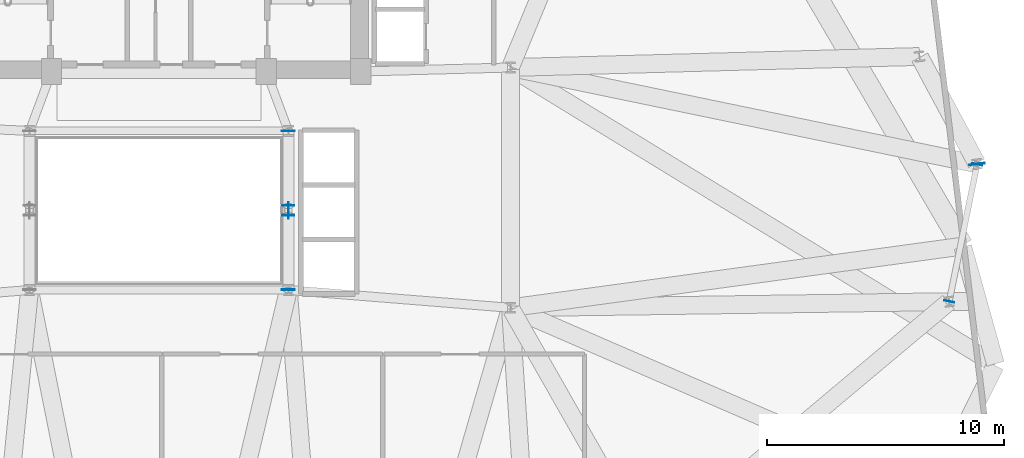
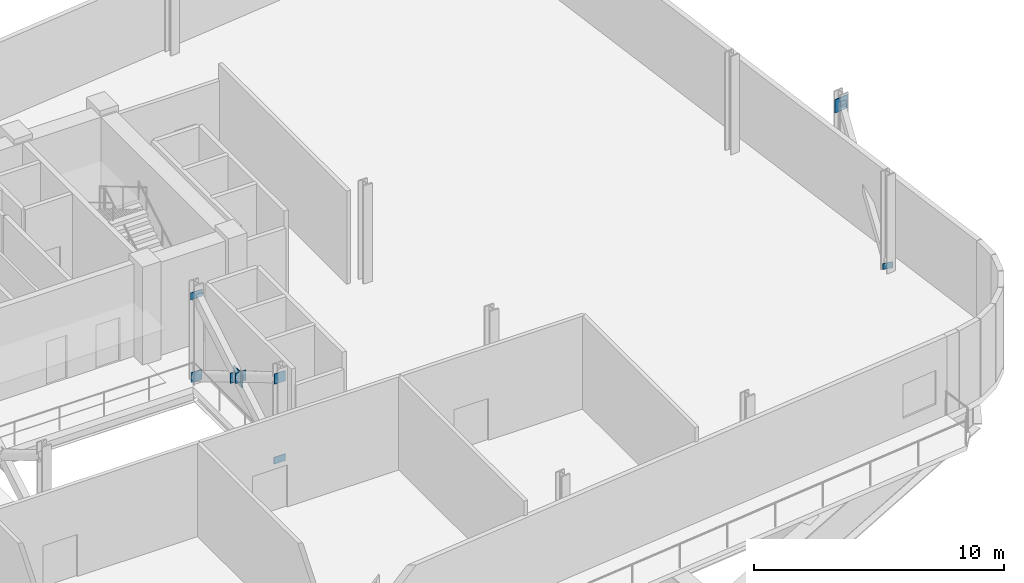
# One storey, part 4 of 11: 10 plates.
"""IFC4 building model written with IfcOpenShell, lengths in metres."""

from ifc_helpers import new_model, si_unit, direction, frame, origin, origin_2d, place, context, subcontext, project, spatial, rectangle, extrude, source, transform, mapped, material, layer, layer_set, type_object, element, save


model = new_model("IFC4")

# Units and contexts
model_context = context("Model", 3, precision=1e-05, world=origin(), true_north=direction((0.0, 1.0)))
body_context = subcontext(model_context, "Body", "Model", "MODEL_VIEW")
ifc_project = project(units=[si_unit("LENGTHUNIT", "METRE"), si_unit("AREAUNIT", "SQUARE_METRE"), si_unit("VOLUMEUNIT", "CUBIC_METRE"), si_unit("PLANEANGLEUNIT", "RADIAN"), si_unit("MASSUNIT", "GRAM", prefix="KILO")], contexts=[model_context])

# Site, building, storey
site_placement = place(None, origin())
site = spatial("IfcSite", under=ifc_project, at=site_placement, CompositionType="ELEMENT")
building_placement = place(site_placement, origin())
building = spatial("IfcBuilding", under=site, at=building_placement, Name="Varnelok Gate Tower", CompositionType="ELEMENT")
storey_placement = place(building_placement, frame((0.0, 0.0, 162.39990234375)))
storey = spatial("IfcBuildingStorey", under=building, at=storey_placement, Name="L41", CompositionType="ELEMENT", Elevation=162.39990234375)

# Plates
ifc_material = material(Name="Structural Steel ASTM A572 Grade 50", Category="steel")
ifc_layer_1 = layer(ifc_material, 0.02490234375)
ifc_layer_set_1 = layer_set([ifc_layer_1], Name="Structural Steel ASTM A572 Grade 50")
plate_type_1 = type_object("IfcPlateType", Name="PLT-ENDCAP-25", PredefinedType="SHEET", material=ifc_layer_set_1)
shared_shape_1 = source(origin(), body_context, "Body", "SweptSolid", [
    extrude(rectangle(XDim=0.02490234375, YDim=0.43994140625, at=origin_2d()), origin(), (0.0, 0.0, 1.0), 0.2900390625),
])
for number, where, z_axis, x_axis, name in (
    (1, (72.479248046875, 19.070556640625, 0.062744140625), (0.0, 0.0, 1.0), (0.199128487693, 0.979973390143, 0.0), "L41 hollow member sealed end plate 1"),
    (2, (73.65185546875, 24.841796875, 4.04736328125), (0.0, 0.0, 1.0), (0.199128487693, 0.979973390143, 0.0), "L41 hollow member sealed end plate 2"),
):
    element("IfcPlate", number, at=place(storey_placement, frame(where, z_axis=z_axis, x_axis=x_axis)), inside=storey, type_object=plate_type_1, Name=name, PredefinedType="SHEET", context=body_context, shape_type="MappedRepresentation", body=[
        mapped(shared_shape_1, transform((0.0, 0.0, 0.0), scale=1.0)),
    ])
ifc_layer_2 = layer(ifc_material, 0.031982421875)
ifc_layer_set_2 = layer_set([ifc_layer_2], Name="Structural Steel ASTM A572 Grade 50")
plate_type_2 = type_object("IfcPlateType", Name="PLT-GUSSET-32", PredefinedType="USERDEFINED", material=ifc_layer_set_2)
shared_shape_2 = source(origin(), body_context, "Body", "SweptSolid", [
    extrude(rectangle(XDim=0.64990234375, YDim=0.031982421875, at=origin_2d()), origin(), (0.0, 0.0, 1.0), 0.64990234375),
])
plate_1_placement = place(storey_placement, frame((73.654296875, 24.85302734375, 3.875244140625), z_axis=(0.0, 0.0, 1.0), x_axis=(0.992732158755, 0.12034475881, 0.0)))
element("IfcPlate", 3, at=plate_1_placement, inside=storey, type_object=plate_type_2, Name="L41 Belt Truss Node Gusset Plate BN-1", ObjectType="GUSSET PLATE", PredefinedType="USERDEFINED", context=body_context, shape_type="MappedRepresentation", body=[
    mapped(shared_shape_2, transform((0.0, 0.0, 0.0), scale=1.0)),
])
shared_shape_3 = source(origin(), body_context, "Body", "SweptSolid", [
    extrude(rectangle(XDim=0.02490234375, YDim=0.5400390625, at=origin_2d()), origin(), (0.0, 0.0, 1.0), 0.340087890625),
])
for number, where, z_axis, x_axis, name in (
    (4, (44.64990234375, 19.561767578125, 0.037109375), (0.0, 0.0, 1.0), (0.0, 1.0, 0.0), "L41 hollow member sealed end plate 1"),
    (5, (44.64990234375, 26.23828125, 4.02294921875), (0.0, 0.0, 1.0), (0.0, 1.0, 0.0), "L41 hollow member sealed end plate 2"),
):
    element("IfcPlate", number, at=place(storey_placement, frame(where, z_axis=z_axis, x_axis=x_axis)), inside=storey, type_object=plate_type_1, Name=name, PredefinedType="SHEET", context=body_context, shape_type="MappedRepresentation", body=[
        mapped(shared_shape_3, transform((0.0, 0.0, 0.0), scale=1.0)),
    ])
shared_shape_4 = source(origin(), body_context, "Body", "SweptSolid", [
    extrude(rectangle(XDim=0.699951171875, YDim=0.031982421875, at=origin_2d()), origin(), (0.0, 0.0, 1.0), 0.699951171875),
])
plate_2_placement = place(storey_placement, frame((44.64990234375, 22.89990234375, 1.85009765625), z_axis=(0.0, 0.0, 1.0), x_axis=(0.0, -1.0, 0.0)))
element("IfcPlate", 6, at=plate_2_placement, inside=storey, type_object=plate_type_2, Name="L41 Outrigger X-Brace Gusset Plate XN-2", ObjectType="GUSSET PLATE", PredefinedType="USERDEFINED", context=body_context, shape_type="MappedRepresentation", body=[
    mapped(shared_shape_4, transform((0.0, 0.0, 0.0), scale=1.0)),
])
shared_shape_5 = source(origin(), body_context, "Body", "SweptSolid", [
    extrude(rectangle(XDim=0.02490234375, YDim=0.5, at=origin_2d()), origin(), (0.0, 0.0, 1.0), 0.5),
])
for number, where, z_axis, x_axis, name in (
    (7, (44.64990234375, 26.23828125, -0.04296875), (0.0, 0.0, 1.0), (0.0, -1.0, 0.0), "L41 hollow member sealed end plate 1"),
    (8, (44.64990234375, 23.1005859375, 1.830322265625), (0.0, 0.0, 1.0), (0.0, -1.0, 0.0), "L41 hollow member sealed end plate 2"),
    (9, (44.64990234375, 22.69921875, 2.06982421875), (0.0, 0.0, 1.0), (0.0, -1.0, 0.0), "L41 hollow member sealed end plate 1"),
    (10, (44.64990234375, 19.561767578125, 3.943115234375), (0.0, 0.0, 1.0), (0.0, -1.0, 0.0), "L41 hollow member sealed end plate 2"),
):
    element("IfcPlate", number, at=place(storey_placement, frame(where, z_axis=z_axis, x_axis=x_axis)), inside=storey, type_object=plate_type_1, Name=name, PredefinedType="SHEET", context=body_context, shape_type="MappedRepresentation", body=[
        mapped(shared_shape_5, transform((0.0, 0.0, 0.0), scale=1.0)),
    ])

save(model, "model.ifc")
